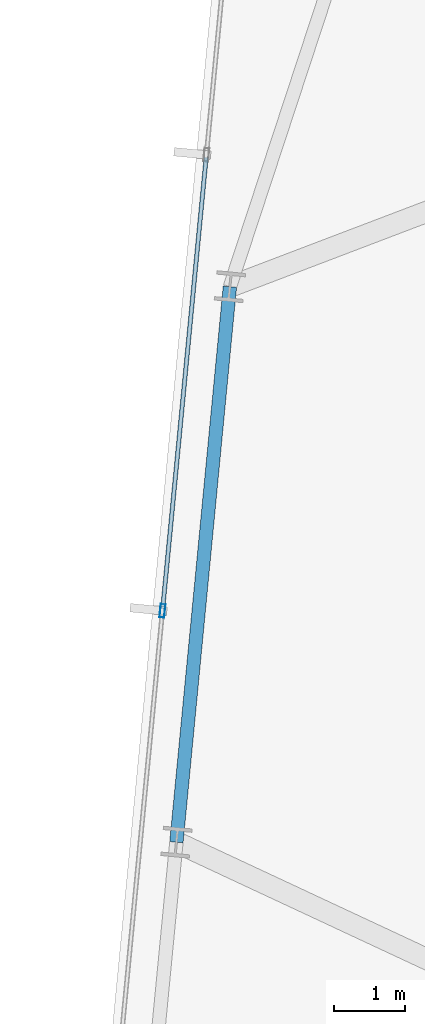
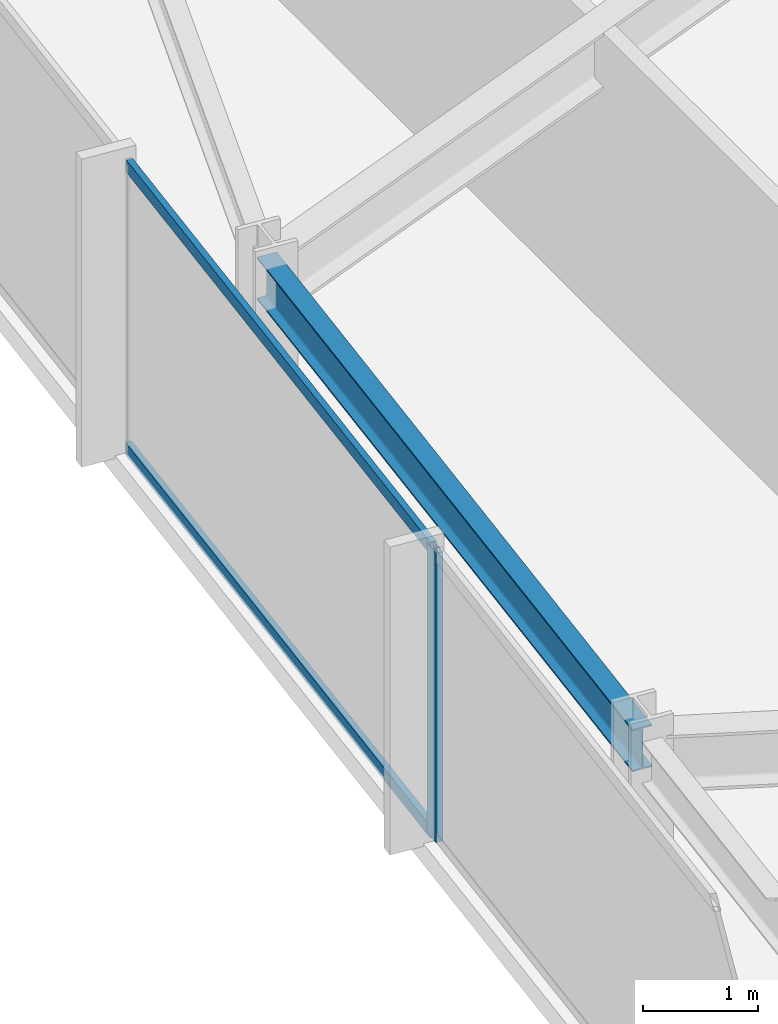
# One storey, part 10 of 38: 3 members, 1 beam, 1 element without a shape of its own.
"""IFC4 building model written with IfcOpenShell, lengths in metres."""

from ifc_helpers import new_model, si_unit, direction, frame, origin, origin_2d, place, context, subcontext, project, spatial, hollow_rectangle, i_section, extrude, material, material_profile, profile_set, type_object, element, aggregate, save


model = new_model("IFC4")

# Units and contexts
model_context = context("Model", 3, precision=1e-05, world=origin(), true_north=direction((0.0, 1.0)))
body_context = subcontext(model_context, "Body", "Model", "MODEL_VIEW")
ifc_project = project(units=[si_unit("LENGTHUNIT", "METRE"), si_unit("AREAUNIT", "SQUARE_METRE"), si_unit("VOLUMEUNIT", "CUBIC_METRE"), si_unit("PLANEANGLEUNIT", "RADIAN"), si_unit("MASSUNIT", "GRAM", prefix="KILO")], contexts=[model_context])

# Site, building, storey
site_placement = place(None, origin())
site = spatial("IfcSite", under=ifc_project, at=site_placement, CompositionType="ELEMENT")
building_placement = place(site_placement, origin())
building = spatial("IfcBuilding", under=site, at=building_placement, Name="Yelkora Congress Tower", CompositionType="ELEMENT")
storey_placement = place(building_placement, frame((0.0, 0.0, 185.300048828125)))
storey = spatial("IfcBuildingStorey", under=building, at=storey_placement, Name="L51", CompositionType="ELEMENT", Elevation=185.300048828125)

# Beam
ifc_material_1 = material(Name="Steel S355J2", Category="steel")
ifc_material_profile_1 = material_profile(ifc_material_1, i_section(OverallWidth=0.18994140625, OverallDepth=0.449951171875, WebThickness=0.009521484375, FlangeThickness=0.0146484375, FilletRadius=0.02099609375, at=origin_2d()), Name="IPE 450")
ifc_profile_set_1 = profile_set([ifc_material_profile_1], Name="Steel S355J2")
beam_type = type_object("IfcBeamType", Name="BM-SPAN-IPE450", PredefinedType="SPANDREL", material=ifc_profile_set_1)
beam_placement = place(storey_placement, frame((4.121826171875, 40.4580078125, 2.85498046875), z_axis=(-0.095864922257, -0.995394352345, 0.0), x_axis=(0.995394352345, -0.095864922257, 0.0)))
element("IfcBeam", 1, at=beam_placement, inside=storey, type_object=beam_type, Name="L51 Perimeter Beam 17", PredefinedType="SPANDREL", context=body_context, shape_type="SweptSolid", body=[
    extrude(i_section(OverallWidth=0.18994140625, OverallDepth=0.449951171875, WebThickness=0.009521484375, FlangeThickness=0.0146484375, FilletRadius=0.02099609375, at=origin_2d()), origin(), (0.0, 0.0, 1.0), 7.89990234375),
])

# Curtain wall, members
ifc_material_2 = material(Name="Anodised aluminium and insulated glass", Category="aluminium")
curtain_wall_type = type_object("IfcCurtainWallType", Name="CW-SYS-B3", PredefinedType="NOTDEFINED", material=ifc_material_2)
curtain_wall_placement = place(storey_placement, origin())
curtain_wall = element("IfcCurtainWall", 2, at=curtain_wall_placement, inside=storey, type_object=curtain_wall_type, Name="L51 Unitised Curtain Wall 5", PredefinedType="NOTDEFINED")
ifc_material_3 = material(Name="Anodised aluminium 6063-T6", Category="aluminium")
ifc_material_profile_2 = material_profile(ifc_material_3, hollow_rectangle(XDim=0.070068359375, YDim=0.18994140625, WallThickness=0.00390625, at=origin_2d()), Name="ALU 70x190x4")
ifc_profile_set_2 = profile_set([ifc_material_profile_2], Name="Anodised aluminium 6063-T6")
member_type_1 = type_object("IfcMemberType", Name="MEM-ML-B3", PredefinedType="MULLION", material=ifc_profile_set_2)
member_1_placement = place(storey_placement, frame((3.167724609375, 35.870361328125, 0.0), z_axis=(0.0, 0.0, 1.0), x_axis=(-0.995396242473, 0.095845294465, 0.0)))
member_1 = element("IfcMember", 3, at=member_1_placement, type_object=member_type_1, Name="CW-B3 mullion 4", PredefinedType="MULLION", context=body_context, shape_type="SweptSolid", body=[
    extrude(hollow_rectangle(XDim=0.070068359375, YDim=0.18994140625, WallThickness=0.00390625, at=origin_2d()), origin(), (0.0, 0.0, 1.0), 3.079833984375),
])
ifc_material_profile_3 = material_profile(ifc_material_3, hollow_rectangle(XDim=0.06005859375, YDim=0.1298828125, WallThickness=0.00390625, at=origin_2d()), Name="ALU 60x130x4")
ifc_profile_set_3 = profile_set([ifc_material_profile_3], Name="Anodised aluminium 6063-T6")
member_type_2 = type_object("IfcMemberType", Name="MEM-TR-B3", PredefinedType="USERDEFINED", material=ifc_profile_set_3)
member_2_placement = place(storey_placement, frame((3.171142578125, 35.9052734375, 0.030029296875), z_axis=(0.095847313538, 0.995396048057, 0.0), x_axis=(-0.995396048057, 0.095847313538, 0.0)))
member_2 = element("IfcMember", 4, at=member_2_placement, type_object=member_type_2, Name="CW-B3 transom 4.1", ObjectType="TRANSOM", PredefinedType="USERDEFINED", context=body_context, shape_type="SweptSolid", body=[
    extrude(hollow_rectangle(XDim=0.06005859375, YDim=0.1298828125, WallThickness=0.00390625, at=origin_2d()), origin(), (0.0, 0.0, 1.0), 6.413818359375),
])
member_3_placement = place(storey_placement, frame((3.171142578125, 35.9052734375, 3.050048828125), z_axis=(0.095847313538, 0.995396048057, 0.0), x_axis=(-0.995396048057, 0.095847313538, 0.0)))
member_3 = element("IfcMember", 5, at=member_3_placement, type_object=member_type_2, Name="CW-B3 transom 4.2", ObjectType="TRANSOM", PredefinedType="USERDEFINED", context=body_context, shape_type="SweptSolid", body=[
    extrude(hollow_rectangle(XDim=0.06005859375, YDim=0.1298828125, WallThickness=0.00390625, at=origin_2d()), origin(), (0.0, 0.0, 1.0), 6.413818359375),
])
aggregate(curtain_wall, [member_1, member_2, member_3])

save(model, "model.ifc")
